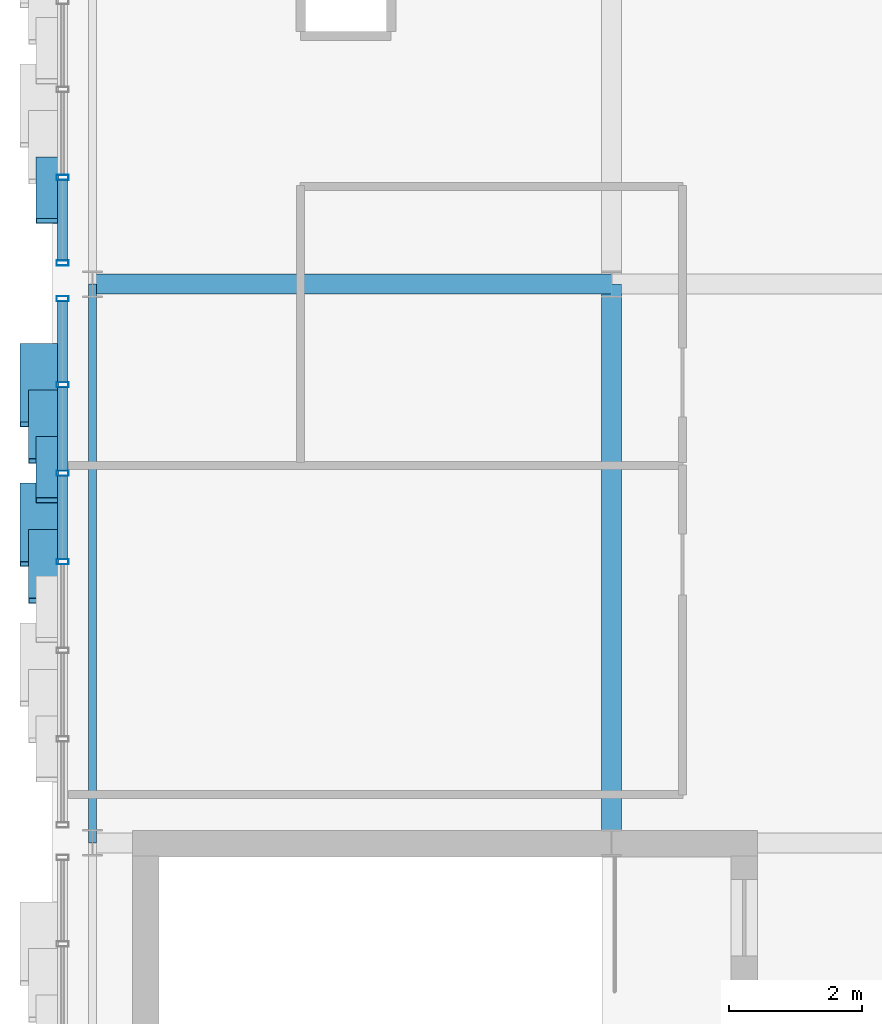
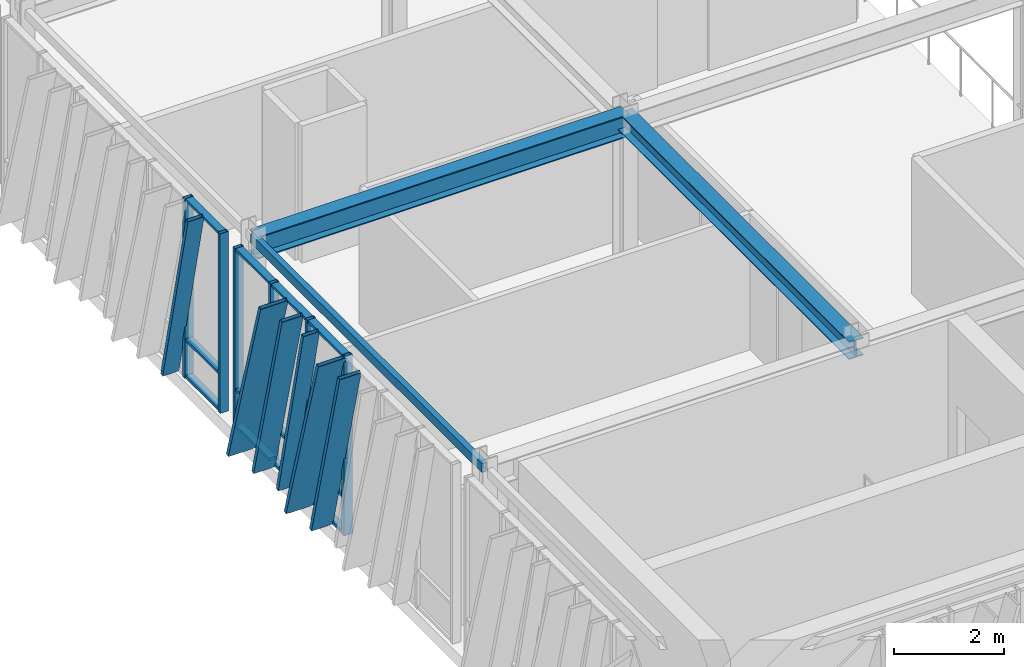
# One storey, part 34 of 123: 24 members, 3 beams, 2 elements without a shape of their own.
"""IFC4 building model written with IfcOpenShell, lengths in metres."""

from ifc_helpers import new_model, si_unit, direction, frame, origin, origin_2d, place, context, subcontext, project, spatial, hollow_rectangle, i_section, extrude, material, layer, layer_set, material_profile, profile_set, type_object, element, aggregate, save


model = new_model("IFC4")

# Units and contexts
model_context = context("Model", 3, precision=1e-05, world=origin(), true_north=direction((0.0, 1.0)))
body_context = subcontext(model_context, "Body", "Model", "MODEL_VIEW")
ifc_project = project(units=[si_unit("LENGTHUNIT", "METRE"), si_unit("AREAUNIT", "SQUARE_METRE"), si_unit("VOLUMEUNIT", "CUBIC_METRE"), si_unit("PLANEANGLEUNIT", "RADIAN"), si_unit("MASSUNIT", "GRAM", prefix="KILO")], contexts=[model_context])

# Site, building, storey
site_placement = place(None, origin())
site = spatial("IfcSite", under=ifc_project, at=site_placement, CompositionType="ELEMENT")
building_placement = place(site_placement, origin())
building = spatial("IfcBuilding", under=site, at=building_placement, Name="Zayran Congress Hotel", CompositionType="ELEMENT")
storey_placement = place(building_placement, frame((0.0, 0.0, 15.0)))
storey = spatial("IfcBuildingStorey", under=building, at=storey_placement, Name="L03", CompositionType="ELEMENT", Elevation=15.0)

# Beams
ifc_material_1 = material(Name="Steel S355", Category="steel")
ifc_material_profile_1 = material_profile(ifc_material_1, i_section(OverallWidth=0.300048828125, OverallDepth=0.489990234375, WebThickness=0.011962890625, FlangeThickness=0.02294921875, at=origin_2d()), Name="HEA 500")
ifc_profile_set_1 = profile_set([ifc_material_profile_1], Name="Steel S355")
beam_type_1 = type_object("IfcBeamType", Name="TP-BM-05", PredefinedType="BEAM", material=ifc_profile_set_1)
beam_1_placement = place(storey_placement, frame((9.0, 84.39990234375, 3.735107421875), z_axis=(1.0, 0.0, 0.0), x_axis=(0.0, 1.0, 0.0)))
element("IfcBeam", 1, at=beam_1_placement, inside=storey, type_object=beam_type_1, Name="BM-V1-L03-0811", PredefinedType="BEAM", context=body_context, shape_type="SweptSolid", body=[
    extrude(i_section(OverallWidth=0.300048828125, OverallDepth=0.489990234375, WebThickness=0.011962890625, FlangeThickness=0.02294921875, at=origin_2d()), origin(), (0.0, 0.0, 1.0), 7.800048828125),
])
ifc_material_profile_2 = material_profile(ifc_material_1, i_section(OverallWidth=0.300048828125, OverallDepth=0.389892578125, WebThickness=0.010986328125, FlangeThickness=0.01904296875, at=origin_2d()), Name="HEA 400")
ifc_profile_set_2 = profile_set([ifc_material_profile_2], Name="Steel S355")
beam_type_2 = type_object("IfcBeamType", Name="TP-BM-06", PredefinedType="BEAM", material=ifc_profile_set_2)
beam_2_placement = place(storey_placement, frame((16.800048828125, 76.0, 3.784912109375), z_axis=(0.0, 1.0, 0.0), x_axis=(-1.0, 0.0, 0.0)))
element("IfcBeam", 2, at=beam_2_placement, inside=storey, type_object=beam_type_2, Name="BM-V1-L03-0855", PredefinedType="BEAM", context=body_context, shape_type="SweptSolid", body=[
    extrude(i_section(OverallWidth=0.300048828125, OverallDepth=0.389892578125, WebThickness=0.010986328125, FlangeThickness=0.01904296875, at=origin_2d()), origin(), (0.0, 0.0, 1.0), 8.39990234375),
])
ifc_material_profile_3 = material_profile(ifc_material_1, hollow_rectangle(XDim=0.1201171875, YDim=0.199951171875, WallThickness=0.008056640625, at=origin_2d()), Name="RHS 200x120x8")
ifc_profile_set_3 = profile_set([ifc_material_profile_3], Name="Steel S355")
beam_type_3 = type_object("IfcBeamType", Name="TP-SP-02", PredefinedType="SPANDREL", material=ifc_profile_set_3)
beam_3_placement = place(storey_placement, frame((9.0, 76.0, 3.8798828125), z_axis=(0.0, 1.0, 0.0), x_axis=(-1.0, 0.0, 0.0)))
element("IfcBeam", 3, at=beam_3_placement, inside=storey, type_object=beam_type_3, Name="BM-V1-L03-0850", PredefinedType="SPANDREL", context=body_context, shape_type="SweptSolid", body=[
    extrude(hollow_rectangle(XDim=0.1201171875, YDim=0.199951171875, WallThickness=0.008056640625, at=origin_2d()), origin(), (0.0, 0.0, 1.0), 8.39990234375),
])

# Curtain wall, members
ifc_material_2 = material(Name="Anodised aluminium and low-E insulated glass", Category="aluminium")
ifc_layer_1 = layer(ifc_material_2, 0.179931640625)
ifc_layer_set_1 = layer_set([ifc_layer_1], Name="Anodised aluminium and low-E insulated glass")
curtain_wall_type_1 = type_object("IfcCurtainWallType", Name="CW-V1W-L03-CW-32-7990-3980", PredefinedType="USERDEFINED", material=ifc_layer_set_1)
curtain_wall_1_placement = place(storey_placement, origin())
curtain_wall_1 = element("IfcCurtainWall", 4, at=curtain_wall_1_placement, inside=storey, type_object=curtain_wall_type_1, Name="CW-V1W-L03-1", ObjectType="CURTAIN WALL", PredefinedType="USERDEFINED")
ifc_material_3 = material(Name="Anodised aluminium framing", Category="aluminium")
ifc_material_profile_4 = material_profile(ifc_material_3, hollow_rectangle(XDim=0.080078125, YDim=0.179931640625, WallThickness=0.0048828125, at=origin_2d()), Name="RHS 180x80x5")
ifc_profile_set_4 = profile_set([ifc_material_profile_4], Name="Anodised aluminium framing")
member_type_1 = type_object("IfcMemberType", Name="TP-CWM-01", PredefinedType="MULLION", material=ifc_profile_set_4)
member_1_placement = place(storey_placement, frame((8.550048828125, 84.179931640625, 0.0), z_axis=(0.0, 0.0, 1.0), x_axis=(0.0, 1.0, 0.0)))
member_1 = element("IfcMember", 5, at=member_1_placement, type_object=member_type_1, Name="CW-V1W-L03-1-M00", PredefinedType="MULLION", context=body_context, shape_type="SweptSolid", body=[
    extrude(hollow_rectangle(XDim=0.080078125, YDim=0.179931640625, WallThickness=0.0048828125, at=origin_2d()), origin(), (0.0, 0.0, 1.0), 3.97998046875),
])
member_2_placement = place(storey_placement, frame((8.550048828125, 82.88818359375, 0.0), z_axis=(0.0, 0.0, 1.0), x_axis=(0.0, 1.0, 0.0)))
member_2 = element("IfcMember", 6, at=member_2_placement, type_object=member_type_1, Name="CW-V1W-L03-1-M01", PredefinedType="MULLION", context=body_context, shape_type="SweptSolid", body=[
    extrude(hollow_rectangle(XDim=0.080078125, YDim=0.179931640625, WallThickness=0.0048828125, at=origin_2d()), origin(), (0.0, 0.0, 1.0), 3.97998046875),
])
member_3_placement = place(storey_placement, frame((8.550048828125, 81.556640625, 0.0), z_axis=(0.0, 0.0, 1.0), x_axis=(0.0, 1.0, 0.0)))
member_3 = element("IfcMember", 7, at=member_3_placement, type_object=member_type_1, Name="CW-V1W-L03-1-M02", PredefinedType="MULLION", context=body_context, shape_type="SweptSolid", body=[
    extrude(hollow_rectangle(XDim=0.080078125, YDim=0.179931640625, WallThickness=0.0048828125, at=origin_2d()), origin(), (0.0, 0.0, 1.0), 3.97998046875),
])
member_4_placement = place(storey_placement, frame((8.550048828125, 80.22509765625, 0.0), z_axis=(0.0, 0.0, 1.0), x_axis=(0.0, 1.0, 0.0)))
member_4 = element("IfcMember", 8, at=member_4_placement, type_object=member_type_1, Name="CW-V1W-L03-1-M03", PredefinedType="MULLION", context=body_context, shape_type="SweptSolid", body=[
    extrude(hollow_rectangle(XDim=0.080078125, YDim=0.179931640625, WallThickness=0.0048828125, at=origin_2d()), origin(), (0.0, 0.0, 1.0), 3.97998046875),
])

ifc_layer_2 = layer(ifc_material_2, 0.179931640625)
ifc_layer_set_2 = layer_set([ifc_layer_2], Name="Anodised aluminium and low-E insulated glass")
curtain_wall_type_2 = type_object("IfcCurtainWallType", Name="CW-V1W-L03-CW-31-7940-3980", PredefinedType="USERDEFINED", material=ifc_layer_set_2)
curtain_wall_2_placement = place(storey_placement, origin())
curtain_wall_2 = element("IfcCurtainWall", 9, at=curtain_wall_2_placement, inside=storey, type_object=curtain_wall_type_2, Name="CW-V1W-L03-2", ObjectType="CURTAIN WALL", PredefinedType="USERDEFINED")
member_5_placement = place(storey_placement, frame((8.550048828125, 86.00341796875, 0.0), z_axis=(0.0, 0.0, 1.0), x_axis=(0.0, 1.0, 0.0)))
member_5 = element("IfcMember", 10, at=member_5_placement, type_object=member_type_1, Name="CW-V1W-L03-2-M05", PredefinedType="MULLION", context=body_context, shape_type="SweptSolid", body=[
    extrude(hollow_rectangle(XDim=0.080078125, YDim=0.179931640625, WallThickness=0.0048828125, at=origin_2d()), origin(), (0.0, 0.0, 1.0), 3.97998046875),
])
member_6_placement = place(storey_placement, frame((8.550048828125, 84.719970703125, 0.0), z_axis=(0.0, 0.0, 1.0), x_axis=(0.0, 1.0, 0.0)))
member_6 = element("IfcMember", 11, at=member_6_placement, type_object=member_type_1, Name="CW-V1W-L03-2-M06", PredefinedType="MULLION", context=body_context, shape_type="SweptSolid", body=[
    extrude(hollow_rectangle(XDim=0.080078125, YDim=0.179931640625, WallThickness=0.0048828125, at=origin_2d()), origin(), (0.0, 0.0, 1.0), 3.97998046875),
])

# Member
ifc_material_profile_5 = material_profile(ifc_material_3, hollow_rectangle(XDim=0.06005859375, YDim=0.14990234375, WallThickness=0.00390625, at=origin_2d()), Name="RHS 150x60x4")
ifc_profile_set_5 = profile_set([ifc_material_profile_5], Name="Anodised aluminium framing")
member_type_2 = type_object("IfcMemberType", Name="TP-CWT-01", PredefinedType="USERDEFINED", material=ifc_profile_set_5)
member_7_placement = place(storey_placement, frame((8.550048828125, 84.139892578125, 0.030029296875), z_axis=(0.0, -1.0, 0.0), x_axis=(0.0, 0.0, 1.0)))
member_7 = element("IfcMember", 12, at=member_7_placement, type_object=member_type_2, Name="CW-V1W-L03-1-T00-0", ObjectType="TRANSOM", PredefinedType="USERDEFINED", context=body_context, shape_type="SweptSolid", body=[
    extrude(hollow_rectangle(XDim=0.06005859375, YDim=0.14990234375, WallThickness=0.00390625, at=origin_2d()), origin(), (0.0, 0.0, 1.0), 1.211669921875),
])

member_8_placement = place(storey_placement, frame((8.550048828125, 84.139892578125, 0.840087890625), z_axis=(0.0, -1.0, 0.0), x_axis=(0.0, 0.0, 1.0)))
member_8 = element("IfcMember", 13, at=member_8_placement, type_object=member_type_2, Name="CW-V1W-L03-1-T00-1", ObjectType="TRANSOM", PredefinedType="USERDEFINED", context=body_context, shape_type="SweptSolid", body=[
    extrude(hollow_rectangle(XDim=0.06005859375, YDim=0.14990234375, WallThickness=0.00390625, at=origin_2d()), origin(), (0.0, 0.0, 1.0), 1.211669921875),
])

member_9_placement = place(storey_placement, frame((8.550048828125, 84.139892578125, 3.949951171875), z_axis=(0.0, -1.0, 0.0), x_axis=(0.0, 0.0, 1.0)))
member_9 = element("IfcMember", 14, at=member_9_placement, type_object=member_type_2, Name="CW-V1W-L03-1-T00-2", ObjectType="TRANSOM", PredefinedType="USERDEFINED", context=body_context, shape_type="SweptSolid", body=[
    extrude(hollow_rectangle(XDim=0.06005859375, YDim=0.14990234375, WallThickness=0.00390625, at=origin_2d()), origin(), (0.0, 0.0, 1.0), 1.211669921875),
])

member_10_placement = place(storey_placement, frame((8.550048828125, 82.848388671875, 0.030029296875), z_axis=(0.0, -1.0, 0.0), x_axis=(0.0, 0.0, 1.0)))
member_10 = element("IfcMember", 15, at=member_10_placement, type_object=member_type_2, Name="CW-V1W-L03-1-T01-0", ObjectType="TRANSOM", PredefinedType="USERDEFINED", context=body_context, shape_type="SweptSolid", body=[
    extrude(hollow_rectangle(XDim=0.06005859375, YDim=0.14990234375, WallThickness=0.00390625, at=origin_2d()), origin(), (0.0, 0.0, 1.0), 1.251708984375),
])

member_11_placement = place(storey_placement, frame((8.550048828125, 82.848388671875, 0.840087890625), z_axis=(0.0, -1.0, 0.0), x_axis=(0.0, 0.0, 1.0)))
member_11 = element("IfcMember", 16, at=member_11_placement, type_object=member_type_2, Name="CW-V1W-L03-1-T01-1", ObjectType="TRANSOM", PredefinedType="USERDEFINED", context=body_context, shape_type="SweptSolid", body=[
    extrude(hollow_rectangle(XDim=0.06005859375, YDim=0.14990234375, WallThickness=0.00390625, at=origin_2d()), origin(), (0.0, 0.0, 1.0), 1.251708984375),
])

member_12_placement = place(storey_placement, frame((8.550048828125, 82.848388671875, 3.949951171875), z_axis=(0.0, -1.0, 0.0), x_axis=(0.0, 0.0, 1.0)))
member_12 = element("IfcMember", 17, at=member_12_placement, type_object=member_type_2, Name="CW-V1W-L03-1-T01-2", ObjectType="TRANSOM", PredefinedType="USERDEFINED", context=body_context, shape_type="SweptSolid", body=[
    extrude(hollow_rectangle(XDim=0.06005859375, YDim=0.14990234375, WallThickness=0.00390625, at=origin_2d()), origin(), (0.0, 0.0, 1.0), 1.251708984375),
])

member_13_placement = place(storey_placement, frame((8.550048828125, 81.5166015625, 0.030029296875), z_axis=(0.0, -1.0, 0.0), x_axis=(0.0, 0.0, 1.0)))
member_13 = element("IfcMember", 18, at=member_13_placement, type_object=member_type_2, Name="CW-V1W-L03-1-T02-0", ObjectType="TRANSOM", PredefinedType="USERDEFINED", context=body_context, shape_type="SweptSolid", body=[
    extrude(hollow_rectangle(XDim=0.06005859375, YDim=0.14990234375, WallThickness=0.00390625, at=origin_2d()), origin(), (0.0, 0.0, 1.0), 1.251708984375),
])

member_14_placement = place(storey_placement, frame((8.550048828125, 81.5166015625, 0.840087890625), z_axis=(0.0, -1.0, 0.0), x_axis=(0.0, 0.0, 1.0)))
member_14 = element("IfcMember", 19, at=member_14_placement, type_object=member_type_2, Name="CW-V1W-L03-1-T02-1", ObjectType="TRANSOM", PredefinedType="USERDEFINED", context=body_context, shape_type="SweptSolid", body=[
    extrude(hollow_rectangle(XDim=0.06005859375, YDim=0.14990234375, WallThickness=0.00390625, at=origin_2d()), origin(), (0.0, 0.0, 1.0), 1.251708984375),
])

member_15_placement = place(storey_placement, frame((8.550048828125, 81.5166015625, 3.949951171875), z_axis=(0.0, -1.0, 0.0), x_axis=(0.0, 0.0, 1.0)))
member_15 = element("IfcMember", 20, at=member_15_placement, type_object=member_type_2, Name="CW-V1W-L03-1-T02-2", ObjectType="TRANSOM", PredefinedType="USERDEFINED", context=body_context, shape_type="SweptSolid", body=[
    extrude(hollow_rectangle(XDim=0.06005859375, YDim=0.14990234375, WallThickness=0.00390625, at=origin_2d()), origin(), (0.0, 0.0, 1.0), 1.251708984375),
])

member_16_placement = place(storey_placement, frame((8.550048828125, 85.96337890625, 0.030029296875), z_axis=(0.0, -1.0, 0.0), x_axis=(0.0, 0.0, 1.0)))
member_16 = element("IfcMember", 21, at=member_16_placement, type_object=member_type_2, Name="CW-V1W-L03-2-T05-0", ObjectType="TRANSOM", PredefinedType="USERDEFINED", context=body_context, shape_type="SweptSolid", body=[
    extrude(hollow_rectangle(XDim=0.06005859375, YDim=0.14990234375, WallThickness=0.00390625, at=origin_2d()), origin(), (0.0, 0.0, 1.0), 1.203369140625),
])

member_17_placement = place(storey_placement, frame((8.550048828125, 85.96337890625, 0.840087890625), z_axis=(0.0, -1.0, 0.0), x_axis=(0.0, 0.0, 1.0)))
member_17 = element("IfcMember", 22, at=member_17_placement, type_object=member_type_2, Name="CW-V1W-L03-2-T05-1", ObjectType="TRANSOM", PredefinedType="USERDEFINED", context=body_context, shape_type="SweptSolid", body=[
    extrude(hollow_rectangle(XDim=0.06005859375, YDim=0.14990234375, WallThickness=0.00390625, at=origin_2d()), origin(), (0.0, 0.0, 1.0), 1.203369140625),
])

member_18_placement = place(storey_placement, frame((8.550048828125, 85.96337890625, 3.949951171875), z_axis=(0.0, -1.0, 0.0), x_axis=(0.0, 0.0, 1.0)))
member_18 = element("IfcMember", 23, at=member_18_placement, type_object=member_type_2, Name="CW-V1W-L03-2-T05-2", ObjectType="TRANSOM", PredefinedType="USERDEFINED", context=body_context, shape_type="SweptSolid", body=[
    extrude(hollow_rectangle(XDim=0.06005859375, YDim=0.14990234375, WallThickness=0.00390625, at=origin_2d()), origin(), (0.0, 0.0, 1.0), 1.203369140625),
])

ifc_material_4 = material(Name="Warm bronze anodised aluminium", Category="aluminium")
ifc_material_profile_6 = material_profile(ifc_material_4, hollow_rectangle(XDim=0.080078125, YDim=0.580078125, WallThickness=0.006103515625, at=origin_2d()), Name="RHS 580x80x6")
ifc_profile_set_6 = profile_set([ifc_material_profile_6], Name="Warm bronze anodised aluminium")
member_type_3 = type_object("IfcMemberType", Name="TP-RFN-01", PredefinedType="MULLION", material=ifc_profile_set_6)
member_19_placement = place(storey_placement, frame((8.199951171875, 83.469970703125, 0.0), z_axis=(0.0, -0.284022244508, 0.958817691026), x_axis=(0.0, 0.958817691026, 0.284022244508)))
member_19 = element("IfcMember", 24, at=member_19_placement, type_object=member_type_3, Name="Slanting Reed Mullion CW-32-01", PredefinedType="MULLION", context=body_context, shape_type="SweptSolid", body=[
    extrude(hollow_rectangle(XDim=0.080078125, YDim=0.580078125, WallThickness=0.006103515625, at=origin_2d()), origin(), (0.0, 0.0, 1.0), 4.15087890625),
])

member_20_placement = place(storey_placement, frame((8.199951171875, 81.3701171875, 0.0), z_axis=(0.0, -0.284022244508, 0.958817691026), x_axis=(0.0, 0.958817691026, 0.284022244508)))
member_20 = element("IfcMember", 25, at=member_20_placement, type_object=member_type_3, Name="Slanting Reed Mullion CW-32-04", PredefinedType="MULLION", context=body_context, shape_type="SweptSolid", body=[
    extrude(hollow_rectangle(XDim=0.080078125, YDim=0.580078125, WallThickness=0.006103515625, at=origin_2d()), origin(), (0.0, 0.0, 1.0), 4.15087890625),
])

ifc_material_profile_7 = material_profile(ifc_material_4, hollow_rectangle(XDim=0.080078125, YDim=0.449951171875, WallThickness=0.006103515625, at=origin_2d()), Name="RHS 450x80x6")
ifc_profile_set_7 = profile_set([ifc_material_profile_7], Name="Warm bronze anodised aluminium")
member_type_4 = type_object("IfcMemberType", Name="TP-RFN-02", PredefinedType="MULLION", material=ifc_profile_set_7)
member_21_placement = place(storey_placement, frame((8.264892578125, 82.77001953125, 0.0), z_axis=(0.0, -0.250380902481, 0.968147408029), x_axis=(0.0, 0.968147408029, 0.250380902481)))
member_21 = element("IfcMember", 26, at=member_21_placement, type_object=member_type_4, Name="Slanting Reed Mullion CW-32-02", PredefinedType="MULLION", context=body_context, shape_type="SweptSolid", body=[
    extrude(hollow_rectangle(XDim=0.080078125, YDim=0.449951171875, WallThickness=0.006103515625, at=origin_2d()), origin(), (0.0, 0.0, 1.0), 4.11083984375),
])

member_22_placement = place(storey_placement, frame((8.264892578125, 80.669921875, 0.0), z_axis=(0.0, -0.250380902481, 0.968147408029), x_axis=(0.0, 0.968147408029, 0.250380902481)))
member_22 = element("IfcMember", 27, at=member_22_placement, type_object=member_type_4, Name="Slanting Reed Mullion CW-32-05", PredefinedType="MULLION", context=body_context, shape_type="SweptSolid", body=[
    extrude(hollow_rectangle(XDim=0.080078125, YDim=0.449951171875, WallThickness=0.006103515625, at=origin_2d()), origin(), (0.0, 0.0, 1.0), 4.11083984375),
])

ifc_material_profile_8 = material_profile(ifc_material_4, hollow_rectangle(XDim=0.080078125, YDim=0.340087890625, WallThickness=0.006103515625, at=origin_2d()), Name="RHS 340x80x6")
ifc_profile_set_8 = profile_set([ifc_material_profile_8], Name="Warm bronze anodised aluminium")
member_type_5 = type_object("IfcMemberType", Name="TP-RFN-03", PredefinedType="MULLION", material=ifc_profile_set_8)
member_23_placement = place(storey_placement, frame((8.320068359375, 82.070068359375, 0.0), z_axis=(0.0, -0.224973000371, 0.974364997885), x_axis=(0.0, 0.974364997885, 0.224973000371)))
member_23 = element("IfcMember", 28, at=member_23_placement, type_object=member_type_5, Name="Slanting Reed Mullion CW-32-03", PredefinedType="MULLION", context=body_context, shape_type="SweptSolid", body=[
    extrude(hollow_rectangle(XDim=0.080078125, YDim=0.340087890625, WallThickness=0.006103515625, at=origin_2d()), origin(), (0.0, 0.0, 1.0), 4.084716796875),
])

aggregate(curtain_wall_1, [member_1, member_2, member_3, member_4, member_7, member_8, member_9, member_10, member_11, member_12, member_13, member_14, member_15, member_19, member_21, member_23, member_20, member_22])

member_24_placement = place(storey_placement, frame((8.320068359375, 86.27001953125, 0.0), z_axis=(0.0, -0.224973000371, 0.974364997885), x_axis=(0.0, 0.974364997885, 0.224973000371)))
member_24 = element("IfcMember", 29, at=member_24_placement, type_object=member_type_5, Name="Slanting Reed Mullion CW-31-09", PredefinedType="MULLION", context=body_context, shape_type="SweptSolid", body=[
    extrude(hollow_rectangle(XDim=0.080078125, YDim=0.340087890625, WallThickness=0.006103515625, at=origin_2d()), origin(), (0.0, 0.0, 1.0), 4.084716796875),
])

aggregate(curtain_wall_2, [member_5, member_6, member_16, member_17, member_18, member_24])

save(model, "model.ifc")
